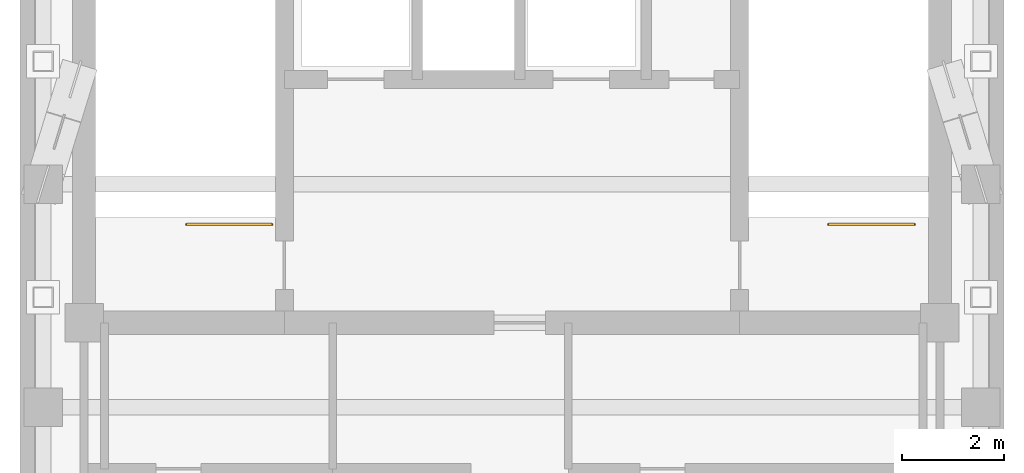
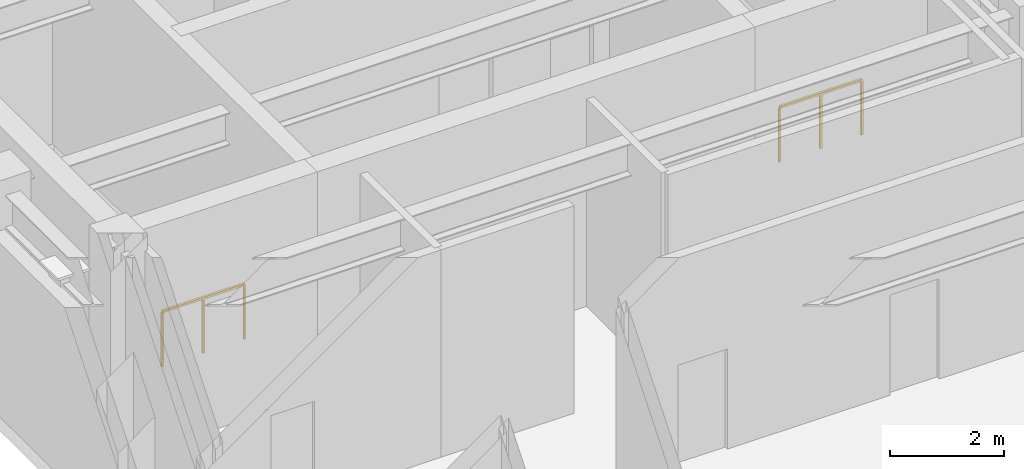
# One storey, part 5 of 5: 2 railings.
"""IFC4 building model written with IfcOpenShell, lengths in metres."""

from ifc_helpers import new_model, si_unit, direction, frame, origin, origin_2d, place, context, subcontext, project, spatial, rectangle, extrude, material, type_object, element, save


model = new_model("IFC4")

# Units and contexts
model_context = context("Model", 3, precision=1e-05, world=origin(), true_north=direction((0.0, 1.0)))
body_context = subcontext(model_context, "Body", "Model", "MODEL_VIEW")
ifc_project = project(units=[si_unit("LENGTHUNIT", "METRE"), si_unit("AREAUNIT", "SQUARE_METRE"), si_unit("VOLUMEUNIT", "CUBIC_METRE"), si_unit("PLANEANGLEUNIT", "RADIAN"), si_unit("MASSUNIT", "GRAM", prefix="KILO")], contexts=[model_context])

# Site, building, storey
site_placement = place(None, origin())
site = spatial("IfcSite", under=ifc_project, at=site_placement, CompositionType="ELEMENT")
building_placement = place(site_placement, origin())
building = spatial("IfcBuilding", under=site, at=building_placement, Name="Orvandelia Arch Residences", CompositionType="ELEMENT")
storey_placement = place(building_placement, frame((0.0, 0.0, 296.199951171875)))
storey = spatial("IfcBuildingStorey", under=building, at=storey_placement, Name="L76", CompositionType="ELEMENT", Elevation=296.199951171875)

# Railings
ifc_material = material(Name="Brushed Stainless Steel 304", Category="steel")
railing_type = type_object("IfcRailingType", Name="RL-STAIR-GD1120", PredefinedType="GUARDRAIL", material=ifc_material)
for number, where, name in (
    (1, (9.719970703125, 32.820068359375, 0.0), "L76 ST-1 top well guard 1"),
    (2, (22.25, 32.820068359375, 0.0), "L76 ST-2 top well guard 1"),
):
    element("IfcRailing", number, at=place(storey_placement, frame(where)), inside=storey, type_object=railing_type, Name=name, PredefinedType="GUARDRAIL", context=body_context, shape_type="SweptSolid", body=[
        extrude(rectangle(XDim=0.048095703125, YDim=0.048095703125, at=origin_2d()), frame((0.0, 0.0, 1.17578125), z_axis=(-1.0, 0.0, 0.0), x_axis=(0.0, -1.0, 0.0)), (0.0, 0.0, 1.0), 1.669921875),
        extrude(rectangle(XDim=0.0419921875, YDim=0.0419921875, at=origin_2d()), origin(), (0.0, 0.0, 1.0), 1.15185546875),
        extrude(rectangle(XDim=0.0419921875, YDim=0.0419921875, at=origin_2d()), frame((-0.8349609375, 0.0, 0.0)), (0.0, 0.0, 1.0), 1.15185546875),
        extrude(rectangle(XDim=0.0419921875, YDim=0.0419921875, at=origin_2d()), frame((-1.669921875, 0.0, 0.0)), (0.0, 0.0, 1.0), 1.15185546875),
    ])

save(model, "model.ifc")
